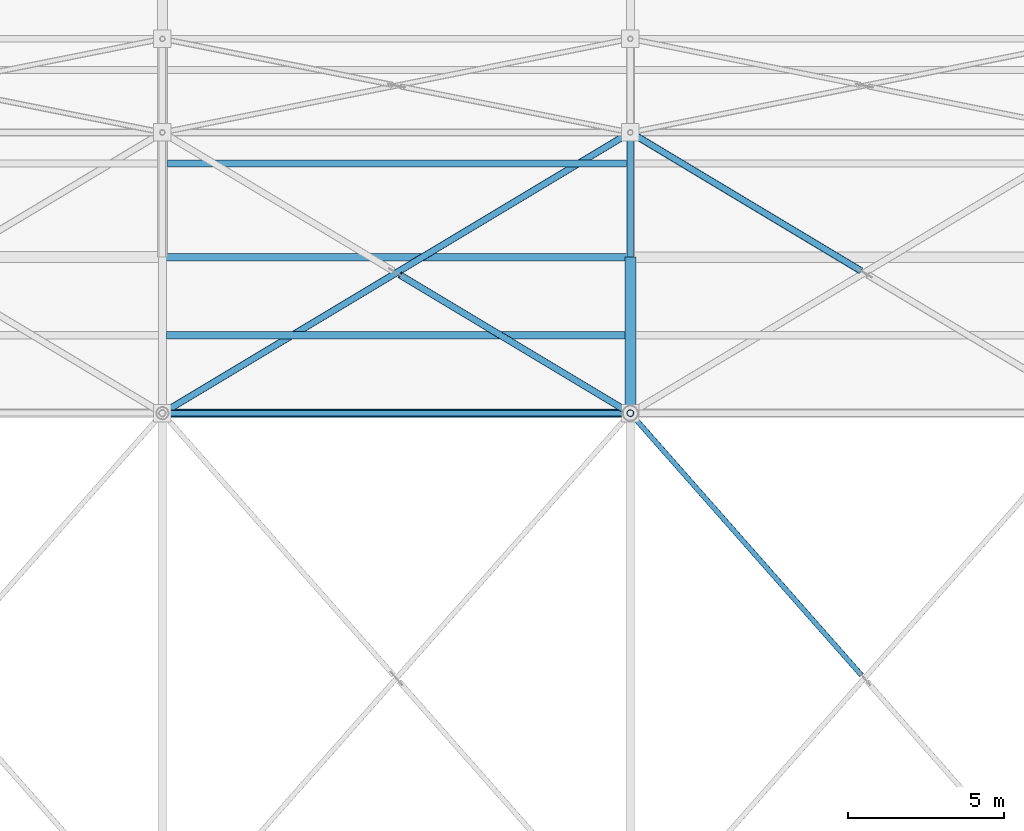
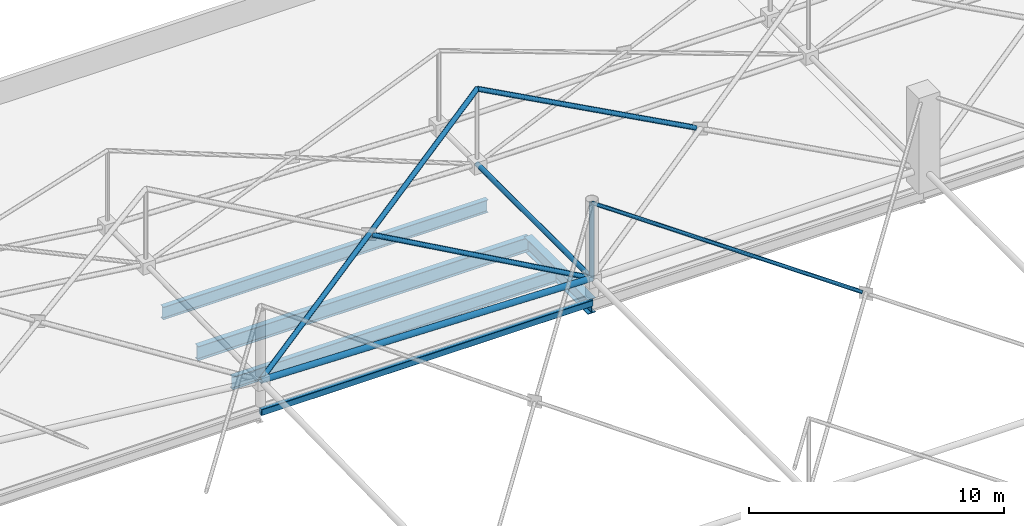
# One storey, part 90 of 224: 7 members, 5 beams.
"""IFC4 building model written with IfcOpenShell, lengths in metres."""

from ifc_helpers import new_model, si_unit, direction, frame, origin, origin_2d, place, context, subcontext, project, spatial, hollow_rectangle, hollow_circle, i_section, extrude, material, material_profile, profile_set, type_object, element, save


model = new_model("IFC4")

# Units and contexts
model_context = context("Model", 3, precision=1e-05, world=origin(), true_north=direction((0.0, 1.0)))
body_context = subcontext(model_context, "Body", "Model", "MODEL_VIEW")
ifc_project = project(units=[si_unit("LENGTHUNIT", "METRE"), si_unit("AREAUNIT", "SQUARE_METRE"), si_unit("VOLUMEUNIT", "CUBIC_METRE"), si_unit("PLANEANGLEUNIT", "RADIAN"), si_unit("MASSUNIT", "GRAM", prefix="KILO")], contexts=[model_context])

# Site, building, storey
site_placement = place(None, origin())
site = spatial("IfcSite", under=ifc_project, at=site_placement, CompositionType="ELEMENT")
building_placement = place(site_placement, origin())
building = spatial("IfcBuilding", under=site, at=building_placement, Name="Qamarlyn Nura Convention Centre", CompositionType="ELEMENT")
storey_placement = place(building_placement, frame((0.0, 0.0, 10.800048828125)))
storey = spatial("IfcBuildingStorey", under=building, at=storey_placement, Name="L02", CompositionType="ELEMENT", Elevation=10.800048828125)

# Beams
ifc_material_1 = material(Name="Steel ASTM A992", Category="steel")
ifc_material_profile_1 = material_profile(ifc_material_1, i_section(OverallWidth=0.35498046875, OverallDepth=0.695068359375, WebThickness=0.015380859375, FlangeThickness=0.02490234375, FilletRadius=0.01806640625, at=origin_2d()), Name="W690X217")
ifc_profile_set_1 = profile_set([ifc_material_profile_1], Name="Steel ASTM A992")
beam_type_1 = type_object("IfcBeamType", Name="BM-GIRD-690A", PredefinedType="BEAM", material=ifc_profile_set_1)
beam_1_placement = place(storey_placement, frame((45.0, 103.0, -0.54248046875), z_axis=(0.0, 1.0, 0.0), x_axis=(-1.0, 0.0, 0.0)))
element("IfcBeam", 1, at=beam_1_placement, inside=storey, type_object=beam_type_1, Name="L02 girder 4 M-N", PredefinedType="BEAM", context=body_context, shape_type="SweptSolid", body=[
    extrude(i_section(OverallWidth=0.35498046875, OverallDepth=0.695068359375, WebThickness=0.015380859375, FlangeThickness=0.02490234375, FilletRadius=0.01806640625, at=origin_2d()), origin(), (0.0, 0.0, 1.0), 5.0),
])
ifc_material_profile_2 = material_profile(ifc_material_1, i_section(OverallWidth=0.25390625, OverallDepth=0.68408203125, WebThickness=0.012451171875, FlangeThickness=0.01904296875, FilletRadius=0.01806640625, at=origin_2d()), Name="W690X140")
ifc_profile_set_2 = profile_set([ifc_material_profile_2], Name="Steel ASTM A992")
beam_type_2 = type_object("IfcBeamType", Name="BM-GIRD-690B", PredefinedType="BEAM", material=ifc_profile_set_2)
beam_2_placement = place(storey_placement, frame((30.0, 108.0, -0.537109375), z_axis=(1.0, 0.0, 0.0), x_axis=(0.0, 1.0, 0.0)))
element("IfcBeam", 2, at=beam_2_placement, inside=storey, type_object=beam_type_2, Name="L02 girder N 3-4", PredefinedType="BEAM", context=body_context, shape_type="SweptSolid", body=[
    extrude(i_section(OverallWidth=0.25390625, OverallDepth=0.68408203125, WebThickness=0.012451171875, FlangeThickness=0.01904296875, FilletRadius=0.01806640625, at=origin_2d()), origin(), (0.0, 0.0, 1.0), 15.0),
])
ifc_material_profile_3 = material_profile(ifc_material_1, i_section(OverallWidth=0.22802734375, OverallDepth=0.60791015625, WebThickness=0.01123046875, FlangeThickness=0.017333984375, FilletRadius=0.01611328125, at=origin_2d()), Name="W610X113")
ifc_profile_set_3 = profile_set([ifc_material_profile_3], Name="Steel ASTM A992")
beam_type_3 = type_object("IfcBeamType", Name="BM-JOIST-610", PredefinedType="JOIST", material=ifc_profile_set_3)
beam_3_placement = place(storey_placement, frame((30.126953125, 105.5, -0.4990234375), z_axis=(1.0, 0.0, 0.0), x_axis=(0.0, 1.0, 0.0)))
element("IfcBeam", 3, at=beam_3_placement, inside=storey, type_object=beam_type_3, Name="L02 composite joist 3-4/M+1", PredefinedType="JOIST", context=body_context, shape_type="SweptSolid", body=[
    extrude(i_section(OverallWidth=0.22802734375, OverallDepth=0.60791015625, WebThickness=0.01123046875, FlangeThickness=0.017333984375, FilletRadius=0.01611328125, at=origin_2d()), origin(), (0.0, 0.0, 1.0), 14.695556640625),
])
beam_4_placement = place(storey_placement, frame((30.162109375, 111.0, -0.4990234375), z_axis=(1.0, 0.0, 0.0), x_axis=(0.0, 1.0, 0.0)))
element("IfcBeam", 4, at=beam_4_placement, inside=storey, type_object=beam_type_3, Name="L02 composite joist 3-4/N+1", PredefinedType="JOIST", context=body_context, shape_type="SweptSolid", body=[
    extrude(i_section(OverallWidth=0.22802734375, OverallDepth=0.60791015625, WebThickness=0.01123046875, FlangeThickness=0.017333984375, FilletRadius=0.01611328125, at=origin_2d()), origin(), (0.0, 0.0, 1.0), 14.7109375),
])
ifc_material_2 = material(Name="Steel ASTM A500 Grade C", Category="steel")
ifc_material_profile_4 = material_profile(ifc_material_2, hollow_rectangle(XDim=0.199951171875, YDim=0.300048828125, WallThickness=0.012451171875, InnerFilletRadius=0.012451171875, OuterFilletRadius=0.02490234375, at=origin_2d()), Name="HSS300X200X12.5")
ifc_profile_set_4 = profile_set([ifc_material_profile_4], Name="Steel ASTM A500 Grade C")
beam_type_4 = type_object("IfcBeamType", Name="BM-SPAN-HSS", PredefinedType="SPANDREL", material=ifc_profile_set_4)
beam_5_placement = place(storey_placement, frame((30.0, 103.0, -0.344970703125), z_axis=(1.0, 0.0, 0.0), x_axis=(0.0, 1.0, 0.0)))
element("IfcBeam", 5, at=beam_5_placement, inside=storey, type_object=beam_type_4, Name="L02 girder M 3-4", PredefinedType="SPANDREL", context=body_context, shape_type="SweptSolid", body=[
    extrude(hollow_rectangle(XDim=0.199951171875, YDim=0.300048828125, WallThickness=0.012451171875, InnerFilletRadius=0.012451171875, OuterFilletRadius=0.02490234375, at=origin_2d()), origin(), (0.0, 0.0, 1.0), 15.0),
])

# Members
ifc_material_3 = material(Name="Pearl-white PVDF steel ASTM A500 Grade C", Category="steel")
ifc_material_profile_5 = material_profile(ifc_material_3, hollow_circle(Radius=0.109619140625, WallThickness=0.010009765625, at=origin_2d()), Name="CHS219.1X10")
ifc_profile_set_5 = profile_set([ifc_material_profile_5], Name="Pearl-white PVDF steel ASTM A500 Grade C")
member_type_1 = type_object("IfcMemberType", Name="SF-BC-EAVE", PredefinedType="CHORD", material=ifc_profile_set_5)
member_1_placement = place(storey_placement, frame((45.0, 103.0, 0.800048828125), z_axis=(0.0, 1.0, 0.0), x_axis=(-1.0, 0.0, 0.0)))
element("IfcMember", 6, at=member_1_placement, inside=storey, type_object=member_type_1, Name="ROOF TRUSS space frame bottom chord Y5-7", PredefinedType="CHORD", context=body_context, shape_type="SweptSolid", body=[
    extrude(hollow_circle(Radius=0.109619140625, WallThickness=0.010009765625, at=origin_2d()), origin(), (0.0, 0.0, 1.0), 9.0),
])
ifc_material_profile_6 = material_profile(ifc_material_3, hollow_circle(Radius=0.136474609375, WallThickness=0.012451171875, at=origin_2d()), Name="CHS273X12.5")
ifc_profile_set_6 = profile_set([ifc_material_profile_6], Name="Pearl-white PVDF steel ASTM A500 Grade C")
member_type_2 = type_object("IfcMemberType", Name="SF-BC-MAIN", PredefinedType="CHORD", material=ifc_profile_set_6)
member_2_placement = place(storey_placement, frame((30.0, 103.0, 1.150634765625), z_axis=(0.999726977409, 0.0, -0.023366014641), x_axis=(0.0, 1.0, 0.0)))
element("IfcMember", 7, at=member_2_placement, inside=storey, type_object=member_type_2, Name="ROOF TRUSS space frame bottom chord X4-7", PredefinedType="CHORD", context=body_context, shape_type="SweptSolid", body=[
    extrude(hollow_circle(Radius=0.136474609375, WallThickness=0.012451171875, at=origin_2d()), origin(), (0.0, 0.0, 1.0), 15.004150390625),
])
ifc_material_profile_7 = material_profile(ifc_material_3, hollow_circle(Radius=0.109619140625, WallThickness=0.010009765625, at=origin_2d()), Name="CHS219.1X10")
ifc_profile_set_7 = profile_set([ifc_material_profile_7], Name="Pearl-white PVDF steel ASTM A500 Grade C")
member_type_3 = type_object("IfcMemberType", Name="SF-WEB-HVY", PredefinedType="BRACE", material=ifc_profile_set_7)
member_3_placement = place(storey_placement, frame((30.0, 103.0, 1.150634765625), z_axis=(0.84307224272, 0.505843345632, 0.182624486953), x_axis=(-0.514495755428, 0.857492925713, 0.0)))
element("IfcMember", 8, at=member_3_placement, inside=storey, type_object=member_type_3, Name="ROOF TRUSS space frame diagonal A 4-7", PredefinedType="BRACE", context=body_context, shape_type="SweptSolid", body=[
    extrude(hollow_circle(Radius=0.109619140625, WallThickness=0.010009765625, at=origin_2d()), origin(), (0.0, 0.0, 1.0), 17.7919921875),
])
member_4_placement = place(storey_placement, frame((45.0, 103.0, 0.800048828125), z_axis=(-0.835848325022, 0.501492411269, 0.223300109714), x_axis=(-0.514483245568, -0.857500431504, 0.0)))
element("IfcMember", 9, at=member_4_placement, inside=storey, type_object=member_type_3, Name="ROOF TRUSS space frame split diagonal B1 4-7", PredefinedType="BRACE", context=body_context, shape_type="SweptSolid", body=[
    extrude(hollow_circle(Radius=0.109619140625, WallThickness=0.010009765625, at=origin_2d()), origin(), (0.0, 0.0, 1.0), 8.8330078125),
])
member_5_placement = place(storey_placement, frame((45.0, 103.0, 0.800048828125), z_axis=(0.0, 0.0, 1.0), x_axis=(1.0, 0.0, 0.0)))
element("IfcMember", 10, at=member_5_placement, inside=storey, type_object=member_type_3, Name="ROOF TRUSS space frame vertical 5-7", PredefinedType="BRACE", context=body_context, shape_type="SweptSolid", body=[
    extrude(hollow_circle(Radius=0.109619140625, WallThickness=0.010009765625, at=origin_2d()), origin(), (0.0, 0.0, 1.0), 3.599853515625),
])
member_6_placement = place(storey_placement, frame((52.38232421875, 107.570556640625, 2.628173828125), z_axis=(-0.839889638897, 0.503939338531, 0.201570180219), x_axis=(-0.514499925721, -0.857490423522, 0.0)))
element("IfcMember", 11, at=member_6_placement, inside=storey, type_object=member_type_3, Name="ROOF TRUSS space frame split diagonal B2 5-7", PredefinedType="BRACE", context=body_context, shape_type="SweptSolid", body=[
    extrude(hollow_circle(Radius=0.109619140625, WallThickness=0.010009765625, at=origin_2d()), origin(), (0.0, 0.0, 1.0), 8.78955078125),
])
ifc_material_profile_8 = material_profile(ifc_material_3, hollow_circle(Radius=0.084228515625, WallThickness=0.008056640625, at=origin_2d()), Name="CHS168.3X8")
ifc_profile_set_8 = profile_set([ifc_material_profile_8], Name="Pearl-white PVDF steel ASTM A500 Grade C")
member_type_4 = type_object("IfcMemberType", Name="SF-WEB-STD", PredefinedType="BRACE", material=ifc_profile_set_8)
member_7_placement = place(storey_placement, frame((52.408447265625, 94.603759765625, 2.6220703125), z_axis=(-0.653436826791, 0.740561737029, 0.156807611557), x_axis=(-0.749837855365, -0.661621637087, 0.0)))
element("IfcMember", 12, at=member_7_placement, inside=storey, type_object=member_type_4, Name="ROOF TRUSS space frame split diagonal B2 5-6", PredefinedType="BRACE", context=body_context, shape_type="SweptSolid", body=[
    extrude(hollow_circle(Radius=0.084228515625, WallThickness=0.008056640625, at=origin_2d()), origin(), (0.0, 0.0, 1.0), 11.337646484375),
])

save(model, "model.ifc")
